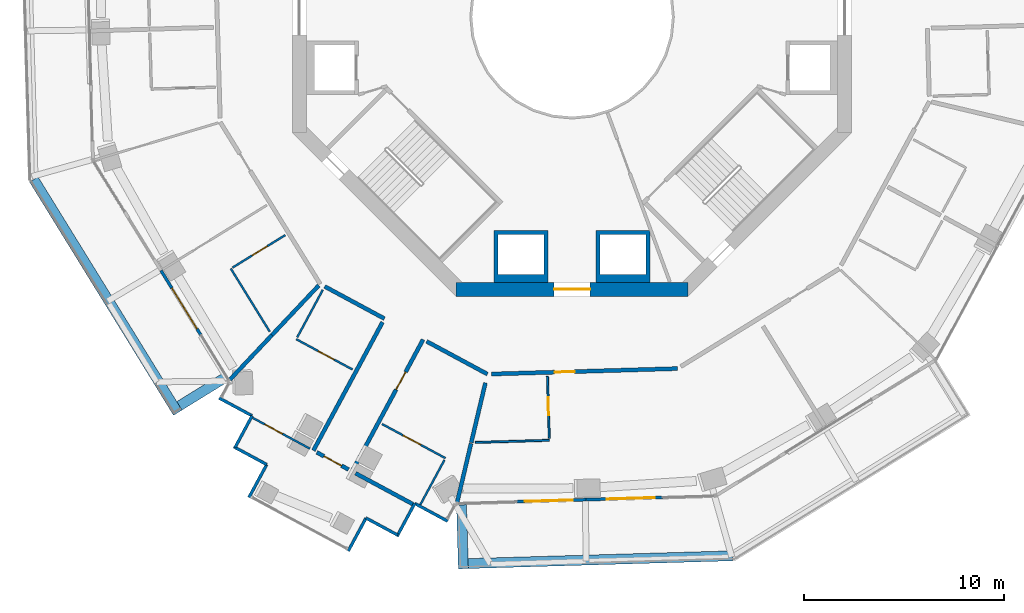
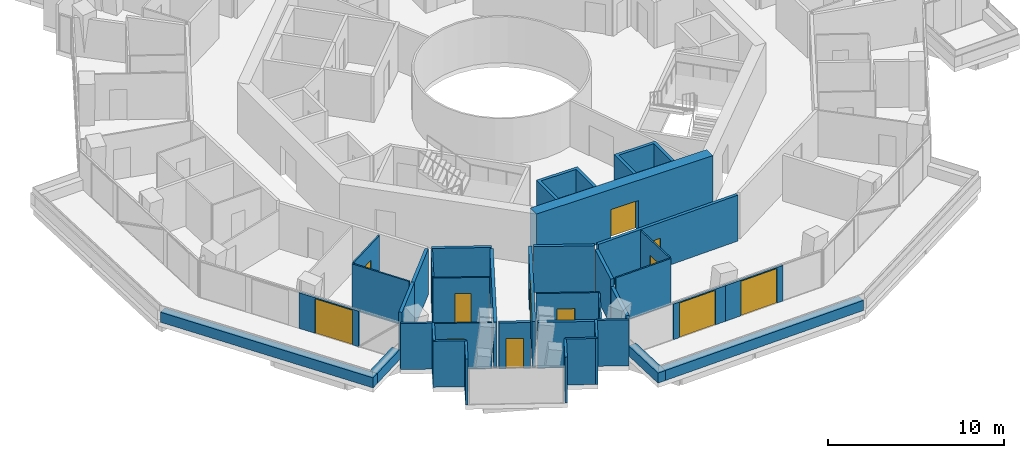
# One storey, part 14 of 22: 38 walls, 12 doors, 12 openings.
"""IFC4 building model written with IfcOpenShell, lengths in metres."""

from ifc_helpers import new_model, si_unit, direction, frame, frame_2d, origin, place, context, subcontext, project, spatial, polyline, rectangle, outline, extrude, material, layer, layer_set, type_object, element, fill, save


model = new_model("IFC4")

# Units and contexts
model_context = context("Model", 3, precision=1e-05, world=origin(), true_north=direction((0.0, 1.0)))
body_context = subcontext(model_context, "Body", "Model", "MODEL_VIEW")
ifc_project = project(units=[si_unit("LENGTHUNIT", "METRE"), si_unit("AREAUNIT", "SQUARE_METRE"), si_unit("VOLUMEUNIT", "CUBIC_METRE"), si_unit("PLANEANGLEUNIT", "RADIAN"), si_unit("MASSUNIT", "GRAM", prefix="KILO")], contexts=[model_context])

# Site, building, storey
site_placement = place(None, origin())
site = spatial("IfcSite", under=ifc_project, at=site_placement, CompositionType="ELEMENT")
building_placement = place(site_placement, origin())
building = spatial("IfcBuilding", under=site, at=building_placement, Name="Verdalira Terraces Hotel", CompositionType="ELEMENT")
storey_placement = place(building_placement, frame((0.0, 0.0, 162.0)))
storey = spatial("IfcBuildingStorey", under=building, at=storey_placement, Name="L39", CompositionType="ELEMENT", Elevation=162.0)

# Walls
ifc_material_1 = material(Name="Concrete C40", Category="concrete")
ifc_layer_1 = layer(ifc_material_1, 0.5)
ifc_layer_set_1 = layer_set([ifc_layer_1], Name="Balcony planter trough with tree")
wall_type_1 = type_object("IfcWallType", Name="Balcony planter trough with tree", PredefinedType="SOLIDWALL", material=ifc_layer_set_1)
wall_1_placement = place(storey_placement, frame((-26.947754, -8.14209, 0.0), z_axis=(0.0, 0.0, 1.0), x_axis=(0.525181892, -0.85099, 0.0)))
element("IfcWall", 1, at=wall_1_placement, inside=storey, type_object=wall_type_1, Name="Balcony planter", PredefinedType="SOLIDWALL", context=body_context, shape_type="SweptSolid", body=[
    extrude(rectangle(XDim=13.723389, YDim=0.5, at=frame_2d((6.861816, 0.0))), origin(), (0.0, 0.0, 1.0), 0.699951),
])
wall_2_placement = place(storey_placement, frame((-19.658936, -19.476562, 0.0), z_axis=(0.0, 0.0, 1.0), x_axis=(0.850968056, 0.525217448, 0.0)))
element("IfcWall", 2, at=wall_2_placement, inside=storey, type_object=wall_type_1, Name="Balcony planter", PredefinedType="SOLIDWALL", context=body_context, shape_type="SweptSolid", body=[
    extrude(rectangle(XDim=2.69873, YDim=0.5, at=frame_2d((1.349365, 0.0))), origin(), (0.0, 0.0, 1.0), 0.699951),
])
wall_3_placement = place(storey_placement, frame((-5.536133, -24.432129, 0.0), z_axis=(0.0, 0.0, 1.0), x_axis=(0.029304862, -0.99957052, 0.0)))
element("IfcWall", 3, at=wall_3_placement, inside=storey, type_object=wall_type_1, Name="Balcony planter", PredefinedType="SOLIDWALL", context=body_context, shape_type="SweptSolid", body=[
    extrude(rectangle(XDim=3.199219, YDim=0.5, at=frame_2d((1.599609, 0.0))), origin(), (0.0, 0.0, 1.0), 0.699951),
])
wall_4_placement = place(storey_placement, frame((-5.199707, -27.372559, 0.0), z_axis=(0.0, 0.0, 1.0), x_axis=(0.999570113, 0.029318754, 0.0)))
element("IfcWall", 4, at=wall_4_placement, inside=storey, type_object=wall_type_1, Name="Balcony planter", PredefinedType="SOLIDWALL", context=body_context, shape_type="SweptSolid", body=[
    extrude(rectangle(XDim=13.223389, YDim=0.5, at=frame_2d((6.611816, 0.0))), origin(), (0.0, 0.0, 1.0), 0.699951),
])
ifc_material_2 = material(Name="Moisture-resistant gypsum board partition")
ifc_layer_2 = layer(ifc_material_2, 0.10009765625)
ifc_layer_set_2 = layer_set([ifc_layer_2], Name="Bathroom partition 100 mm")
wall_type_2 = type_object("IfcWallType", Name="Bathroom partition 100 mm", PredefinedType="PARTITIONING", material=ifc_layer_set_2)
wall_5_placement = place(storey_placement, frame((-17.082275, -12.608154, 0.0), z_axis=(0.0, 0.0, 1.0), x_axis=(0.525185533, -0.850987753, 0.0)))
element("IfcWall", 5, at=wall_5_placement, inside=storey, type_object=wall_type_2, Name="Bathroom partition", PredefinedType="PARTITIONING", context=body_context, shape_type="SweptSolid", body=[
    extrude(rectangle(XDim=3.704102, YDim=0.100098, at=frame_2d((1.852051, 0.0))), origin(), (0.0, 0.0, 1.0), 3.189941),
])

# Wall, opening, door
wall_6_placement = place(storey_placement, frame((-14.358887, -10.92749, 0.0), z_axis=(0.0, 0.0, 1.0), x_axis=(-0.850984343, -0.525191059, 0.0)))
wall_6 = element("IfcWall", 6, at=wall_6_placement, inside=storey, type_object=wall_type_2, Name="Bathroom partition", PredefinedType="PARTITIONING", context=body_context, shape_type="SweptSolid", body=[
    extrude(rectangle(XDim=3.100098, YDim=0.100098, at=frame_2d((1.550049, 0.0))), origin(), (0.0, 0.0, 1.0), 3.189941),
])
opening_1_placement = place(wall_6_placement, frame((1.050049, 0.0, 0.0)))
opening_1 = element("IfcOpeningElement", 7, at=opening_1_placement, cuts=wall_6, Name="Opening L39-115", PredefinedType="OPENING", context=body_context, shape_type="SweptSolid", body=[
    extrude(rectangle(XDim=0.899902, YDim=2.100098, at=frame_2d((0.449951, 1.050049))), frame((0.0, 0.060059, 0.0), z_axis=(0.0, -1.0, 0.0), x_axis=(1.0, 0.0, 0.0)), (0.0, 0.0, 1.0), 0.120117),
])
ifc_material_3 = material(Name="Timber door", Category="wood")
door_type_1 = type_object("IfcDoorType", Name="Bathroom door 900 x 2100", OperationType="NOTDEFINED", PredefinedType="DOOR", material=ifc_material_3)
door_1_placement = place(opening_1_placement, origin())
door_1 = element("IfcDoor", 8, at=door_1_placement, inside=storey, type_object=door_type_1, Name="Bathroom door 3903", OperationType="SINGLE_SWING_RIGHT", OverallHeight=2.10009765625, OverallWidth=0.89990234375, PredefinedType="DOOR", context=body_context, shape_type="SweptSolid", body=[
    extrude(rectangle(XDim=0.899902, YDim=2.100098, at=frame_2d((0.449951, 1.050049))), frame((0.0, 0.024902, 0.0), z_axis=(0.0, -1.0, 0.0), x_axis=(1.0, 0.0, 0.0)), (0.0, 0.0, 1.0), 0.050049),
])
fill(opening_1, door_1)

wall_7_placement = place(storey_placement, frame((-15.989502, -20.075684, 0.0), z_axis=(0.0, 0.0, 1.0), x_axis=(0.880314361, -0.474390794, 0.0)))
wall_7 = element("IfcWall", 9, at=wall_7_placement, inside=storey, type_object=wall_type_2, Name="Bathroom partition", PredefinedType="PARTITIONING", context=body_context, shape_type="SweptSolid", body=[
    extrude(rectangle(XDim=3.251953, YDim=0.100098, at=frame_2d((1.625977, 0.0))), origin(), (0.0, 0.0, 1.0), 3.189941),
])
opening_2_placement = place(wall_7_placement, frame((0.699951, 0.0, 0.0)))
opening_2 = element("IfcOpeningElement", 10, at=opening_2_placement, cuts=wall_7, Name="Opening L39-117", PredefinedType="OPENING", context=body_context, shape_type="SweptSolid", body=[
    extrude(rectangle(XDim=1.0, YDim=2.100098, at=frame_2d((0.5, 1.050049))), frame((0.0, 0.060059, 0.0), z_axis=(0.0, -1.0, 0.0), x_axis=(1.0, 0.0, 0.0)), (0.0, 0.0, 1.0), 0.120117),
])
ifc_material_4 = material(Name="Timber door", Category="wood")
door_type_2 = type_object("IfcDoorType", Name="Suite internal door 1000 x 2100", OperationType="NOTDEFINED", PredefinedType="DOOR", material=ifc_material_4)
door_2_placement = place(opening_2_placement, origin())
door_2 = element("IfcDoor", 11, at=door_2_placement, inside=storey, type_object=door_type_2, Name="Suite internal door 3904", OperationType="SINGLE_SWING_LEFT", OverallHeight=2.10009765625, OverallWidth=1.0, PredefinedType="DOOR", context=body_context, shape_type="SweptSolid", body=[
    extrude(rectangle(XDim=1.0, YDim=2.100098, at=frame_2d((0.5, 1.050049))), frame((0.0, 0.024902, 0.0), z_axis=(0.0, -1.0, 0.0), x_axis=(1.0, 0.0, 0.0)), (0.0, 0.0, 1.0), 0.050049),
])
fill(opening_2, door_2)

# Wall
wall_8_placement = place(storey_placement, frame((-12.480713, -13.674316, 0.0), z_axis=(0.0, 0.0, 1.0), x_axis=(-0.474455674, -0.880279395, 0.0)))
element("IfcWall", 12, at=wall_8_placement, inside=storey, type_object=wall_type_2, Name="Bathroom partition", PredefinedType="PARTITIONING", context=body_context, shape_type="SweptSolid", body=[
    extrude(rectangle(XDim=2.699951, YDim=0.100098, at=frame_2d((1.350098, 0.0))), origin(), (0.0, 0.0, 1.0), 3.189941),
])

# Wall, opening, door
wall_9_placement = place(storey_placement, frame((-13.809082, -16.138916, 0.0), z_axis=(0.0, 0.0, 1.0), x_axis=(0.880304454, -0.474409178, 0.0)))
wall_9 = element("IfcWall", 13, at=wall_9_placement, inside=storey, type_object=wall_type_2, Name="Bathroom partition", PredefinedType="PARTITIONING", context=body_context, shape_type="SweptSolid", body=[
    extrude(rectangle(XDim=3.199951, YDim=0.100098, at=frame_2d((1.600098, 0.0))), origin(), (0.0, 0.0, 1.0), 3.189941),
])
opening_3_placement = place(wall_9_placement, frame((1.25, 0.0, 0.0)))
opening_3 = element("IfcOpeningElement", 14, at=opening_3_placement, cuts=wall_9, Name="Opening L39-118", PredefinedType="OPENING", context=body_context, shape_type="SweptSolid", body=[
    extrude(rectangle(XDim=0.899902, YDim=2.100098, at=frame_2d((0.449951, 1.050049))), frame((0.0, 0.060059, 0.0), z_axis=(0.0, -1.0, 0.0), x_axis=(1.0, 0.0, 0.0)), (0.0, 0.0, 1.0), 0.120117),
])
door_3_placement = place(opening_3_placement, origin())
door_3 = element("IfcDoor", 15, at=door_3_placement, inside=storey, type_object=door_type_1, Name="Bathroom door 3904", OperationType="SINGLE_SWING_LEFT", OverallHeight=2.10009765625, OverallWidth=0.89990234375, PredefinedType="DOOR", context=body_context, shape_type="SweptSolid", body=[
    extrude(rectangle(XDim=0.899902, YDim=2.100098, at=frame_2d((0.449951, 1.050049))), frame((0.0, 0.024902, 0.0), z_axis=(0.0, -1.0, 0.0), x_axis=(1.0, 0.0, 0.0)), (0.0, 0.0, 1.0), 0.050049),
])
fill(opening_3, door_3)

wall_10_placement = place(storey_placement, frame((-6.340576, -22.094971, 0.0), z_axis=(0.0, 0.0, 1.0), x_axis=(-0.88029466, 0.474427351, 0.0)))
wall_10 = element("IfcWall", 16, at=wall_10_placement, inside=storey, type_object=wall_type_2, Name="Bathroom partition", PredefinedType="PARTITIONING", context=body_context, shape_type="SweptSolid", body=[
    extrude(rectangle(XDim=3.600098, YDim=0.100098, at=frame_2d((1.800049, 0.0))), origin(), (0.0, 0.0, 1.0), 3.189941),
])
opening_4_placement = place(wall_10_placement, frame((1.399902, 0.0, 0.0)))
opening_4 = element("IfcOpeningElement", 17, at=opening_4_placement, cuts=wall_10, Name="Opening L39-120", PredefinedType="OPENING", context=body_context, shape_type="SweptSolid", body=[
    extrude(rectangle(XDim=1.0, YDim=2.100098, at=frame_2d((0.5, 1.050049))), frame((0.0, 0.060059, 0.0), z_axis=(0.0, -1.0, 0.0), x_axis=(1.0, 0.0, 0.0)), (0.0, 0.0, 1.0), 0.120117),
])
ifc_material_5 = material(Name="Timber door", Category="wood")
door_type_3 = type_object("IfcDoorType", Name="Bathroom door 1000 x 2100", OperationType="NOTDEFINED", PredefinedType="DOOR", material=ifc_material_5)
door_4_placement = place(opening_4_placement, origin())
door_4 = element("IfcDoor", 18, at=door_4_placement, inside=storey, type_object=door_type_3, Name="Bathroom door 3905", OperationType="SINGLE_SWING_LEFT", OverallHeight=2.10009765625, OverallWidth=1.0, PredefinedType="DOOR", context=body_context, shape_type="SweptSolid", body=[
    extrude(rectangle(XDim=1.0, YDim=2.100098, at=frame_2d((0.5, 1.050049))), frame((0.0, 0.024902, 0.0), z_axis=(0.0, -1.0, 0.0), x_axis=(1.0, 0.0, 0.0)), (0.0, 0.0, 1.0), 0.050049),
])
fill(opening_4, door_4)

# Walls
wall_11_placement = place(storey_placement, frame((-6.387939, -22.182861, 0.0), z_axis=(0.0, 0.0, 1.0), x_axis=(-0.474459446, -0.880277362, 0.0)))
element("IfcWall", 19, at=wall_11_placement, inside=storey, type_object=wall_type_2, Name="Bathroom partition", PredefinedType="PARTITIONING", context=body_context, shape_type="SweptSolid", body=[
    extrude(rectangle(XDim=2.550293, YDim=0.100098, at=frame_2d((1.275146, 0.0))), origin(), (0.0, 0.0, 1.0), 3.189941),
])
wall_12_placement = place(storey_placement, frame((-1.137207, -21.200684, 0.0), z_axis=(0.0, 0.0, 1.0), x_axis=(-0.999569746, -0.029331259, 0.0)))
element("IfcWall", 20, at=wall_12_placement, inside=storey, type_object=wall_type_2, Name="Bathroom partition", PredefinedType="PARTITIONING", context=body_context, shape_type="SweptSolid", body=[
    extrude(rectangle(XDim=3.704102, YDim=0.100098, at=frame_2d((1.852051, 0.0))), origin(), (0.0, 0.0, 1.0), 3.189941),
])

# Wall, opening, door
wall_13_placement = place(storey_placement, frame((-1.140137, -21.10083, 0.0), z_axis=(0.0, 0.0, 1.0), x_axis=(-0.029375908, 0.999568435, 0.0)))
wall_13 = element("IfcWall", 21, at=wall_13_placement, inside=storey, type_object=wall_type_2, Name="Bathroom partition", PredefinedType="PARTITIONING", context=body_context, shape_type="SweptSolid", body=[
    extrude(rectangle(XDim=3.099854, YDim=0.100098, at=frame_2d((1.549805, 0.0))), origin(), (0.0, 0.0, 1.0), 3.189941),
])
opening_5_placement = place(wall_13_placement, frame((1.149902, 0.0, 0.0)))
opening_5 = element("IfcOpeningElement", 22, at=opening_5_placement, cuts=wall_13, Name="Opening L39-122", PredefinedType="OPENING", context=body_context, shape_type="SweptSolid", body=[
    extrude(rectangle(XDim=0.899902, YDim=2.100098, at=frame_2d((0.449951, 1.050049))), frame((0.0, 0.060059, 0.0), z_axis=(0.0, -1.0, 0.0), x_axis=(1.0, 0.0, 0.0)), (0.0, 0.0, 1.0), 0.120117),
])
door_5_placement = place(opening_5_placement, origin())
door_5 = element("IfcDoor", 23, at=door_5_placement, inside=storey, type_object=door_type_1, Name="Bathroom door 3906", OperationType="SINGLE_SWING_LEFT", OverallHeight=2.10009765625, OverallWidth=0.89990234375, PredefinedType="DOOR", context=body_context, shape_type="SweptSolid", body=[
    extrude(rectangle(XDim=0.899902, YDim=2.100098, at=frame_2d((0.449951, 1.050049))), frame((0.0, 0.024902, 0.0), z_axis=(0.0, -1.0, 0.0), x_axis=(1.0, 0.0, 0.0)), (0.0, 0.0, 1.0), 0.050049),
])
fill(opening_5, door_5)

# Walls
ifc_material_6 = material(Name="Concrete C50", Category="concrete")
ifc_layer_3 = layer(ifc_material_6, 0.199951171875)
ifc_layer_set_3 = layer_set([ifc_layer_3], Name="Core RC wall 200 C50")
wall_type_3 = type_object("IfcWallType", Name="Core RC wall 200 C50", PredefinedType="SOLIDWALL", material=ifc_layer_set_3)
wall_14_placement = place(storey_placement, origin())
element("IfcWall", 24, at=wall_14_placement, inside=storey, type_object=wall_type_3, Name="L39 shaft wall S1", PredefinedType="SOLIDWALL", context=body_context, shape_type="SweptSolid", body=[
    extrude(outline(polyline([(-1.199951, -13.300049), (-3.899902, -13.300049), (-3.899902, -10.699951), (-1.199951, -10.699951), (-1.199951, -13.300049)]), holes=[polyline([(-3.699951, -10.899902), (-3.699951, -12.899902), (-1.399902, -12.899902), (-1.399902, -10.899902), (-3.699951, -10.899902)])]), origin(), (0.0, 0.0, 1.0), 3.189941),
])
wall_15_placement = place(storey_placement, origin())
element("IfcWall", 25, at=wall_15_placement, inside=storey, type_object=wall_type_3, Name="L39 shaft wall S2", PredefinedType="SOLIDWALL", context=body_context, shape_type="SweptSolid", body=[
    extrude(outline(polyline([(3.899902, -10.699951), (3.899902, -13.300049), (1.199951, -13.300049), (1.199951, -10.699951), (3.899902, -10.699951)]), holes=[polyline([(1.399902, -12.899902), (3.699951, -12.899902), (3.699951, -10.899902), (1.399902, -10.899902), (1.399902, -12.899902)])]), origin(), (0.0, 0.0, 1.0), 3.189941),
])

# Wall, opening, door
ifc_material_7 = material(Name="Concrete C60", Category="concrete")
ifc_layer_4 = layer(ifc_material_7, 0.699951171875)
ifc_layer_set_4 = layer_set([ifc_layer_4], Name="Core wall 700 C60")
wall_type_4 = type_object("IfcWallType", Name="Core wall 700 C60", PredefinedType="SHEAR", material=ifc_layer_set_4)
wall_16_placement = place(storey_placement, frame((-5.799072, -13.649902, 0.0), z_axis=(0.0, 0.0, 1.0), x_axis=(1.0, 0.0, 0.0)))
wall_16 = element("IfcWall", 26, at=wall_16_placement, inside=storey, type_object=wall_type_4, Name="Core wall CW-L39-7", PredefinedType="SHEAR", context=body_context, shape_type="SweptSolid", body=[
    extrude(rectangle(XDim=11.598145, YDim=0.699951, at=frame_2d((5.799072, 0.0))), origin(), (0.0, 0.0, 1.0), 3.5),
])
opening_6_placement = place(wall_16_placement, frame((4.898926, 0.0, 0.0)))
opening_6 = element("IfcOpeningElement", 27, at=opening_6_placement, cuts=wall_16, Name="Opening L39-815", PredefinedType="OPENING", context=body_context, shape_type="SweptSolid", body=[
    extrude(rectangle(XDim=1.800049, YDim=2.100098, at=frame_2d((0.899902, 1.050049))), frame((0.0, 0.359863, 0.0), z_axis=(0.0, -1.0, 0.0), x_axis=(1.0, 0.0, 0.0)), (0.0, 0.0, 1.0), 0.719971),
])
ifc_material_8 = material(Name="Steel fire door", Category="steel")
door_type_4 = type_object("IfcDoorType", Name="Core entry door pair 1800 x 2100", OperationType="NOTDEFINED", PredefinedType="DOOR", material=ifc_material_8)
door_6_placement = place(opening_6_placement, origin())
door_6 = element("IfcDoor", 28, at=door_6_placement, inside=storey, type_object=door_type_4, Name="Core entry door L39 6", OperationType="DOUBLE_DOOR_SINGLE_SWING", OverallHeight=2.10009765625, OverallWidth=1.800048828125, PredefinedType="DOOR", context=body_context, shape_type="SweptSolid", body=[
    extrude(rectangle(XDim=1.800049, YDim=2.100098, at=frame_2d((0.899902, 1.050049))), frame((0.0, 0.024902, 0.0), z_axis=(0.0, -1.0, 0.0), x_axis=(1.0, 0.0, 0.0)), (0.0, 0.0, 1.0), 0.050049),
])
fill(opening_6, door_6)

# Walls
ifc_material_9 = material(Name="Fire-rated gypsum board wall")
ifc_layer_5 = layer(ifc_material_9, 0.199951171875)
ifc_layer_set_5 = layer_set([ifc_layer_5], Name="Demising wall 200 mm")
wall_type_5 = type_object("IfcWallType", Name="Demising wall 200 mm", PredefinedType="SOLIDWALL", material=ifc_layer_set_5)
wall_17_placement = place(storey_placement, frame((-15.02832, -15.936279, 0.0), z_axis=(0.0, 0.0, 1.0), x_axis=(-0.686053906, -0.727550711, 0.0)))
element("IfcWall", 29, at=wall_17_placement, inside=storey, type_object=wall_type_5, Name="Demising wall", PredefinedType="SOLIDWALL", context=body_context, shape_type="SweptSolid", body=[
    extrude(rectangle(XDim=3.059326, YDim=0.199951, at=frame_2d((1.529785, 0.0))), origin(), (0.0, 0.0, 1.0), 3.189941),
])
wall_18_placement = place(storey_placement, frame((-12.684326, -13.450928, 0.0), z_axis=(0.0, 0.0, 1.0), x_axis=(-0.686115547, -0.727492581, 0.0)))
element("IfcWall", 30, at=wall_18_placement, inside=storey, type_object=wall_type_5, Name="Demising wall", PredefinedType="SOLIDWALL", context=body_context, shape_type="SweptSolid", body=[
    extrude(rectangle(XDim=3.41626, YDim=0.199951, at=frame_2d((1.708008, 0.0))), origin(), (0.0, 0.0, 1.0), 3.189941),
])
wall_19_placement = place(storey_placement, frame((-10.839844, -22.851074, 0.0), z_axis=(0.0, 0.0, 1.0), x_axis=(0.880314361, -0.474390794, 0.0)))
element("IfcWall", 31, at=wall_19_placement, inside=storey, type_object=wall_type_5, Name="Demising wall", PredefinedType="SOLIDWALL", context=body_context, shape_type="SweptSolid", body=[
    extrude(rectangle(XDim=3.251953, YDim=0.199951, at=frame_2d((1.625977, 0.0))), origin(), (0.0, 0.0, 1.0), 3.189941),
])
wall_20_placement = place(storey_placement, frame((-4.338623, -18.325439, 0.0), z_axis=(0.0, 0.0, 1.0), x_axis=(-0.230428791, -0.97308919, 0.0)))
element("IfcWall", 32, at=wall_20_placement, inside=storey, type_object=wall_type_5, Name="Demising wall", PredefinedType="SOLIDWALL", context=body_context, shape_type="SweptSolid", body=[
    extrude(rectangle(XDim=3.074707, YDim=0.199951, at=frame_2d((1.537354, 0.0))), origin(), (0.0, 0.0, 1.0), 3.189941),
])
ifc_material_10 = material(Name="Fire-rated gypsum board wall")
ifc_layer_6 = layer(ifc_material_10, 0.199951171875)
ifc_layer_set_6 = layer_set([ifc_layer_6], Name="Demising wall 200 mm to beam soffit")
wall_type_6 = type_object("IfcWallType", Name="Demising wall 200 mm to beam soffit", PredefinedType="SOLIDWALL", material=ifc_layer_set_6)
wall_21_placement = place(storey_placement, frame((-5.057617, -21.362061, 0.0), z_axis=(0.0, 0.0, 1.0), x_axis=(-0.230403759, -0.973095117, 0.0)))
element("IfcWall", 33, at=wall_21_placement, inside=storey, type_object=wall_type_6, Name="Demising wall", PredefinedType="SOLIDWALL", context=body_context, shape_type="SweptSolid", body=[
    extrude(rectangle(XDim=3.011475, YDim=0.199951, at=frame_2d((1.505859, 0.0))), origin(), (0.0, 0.0, 1.0), 2.689941),
])

# Wall, opening, door
ifc_material_11 = material(Name="Fire-rated gypsum board wall")
ifc_layer_7 = layer(ifc_material_11, 0.199951171875)
ifc_layer_set_7 = layer_set([ifc_layer_7], Name="Guest corridor wall 200 mm")
wall_type_7 = type_object("IfcWallType", Name="Guest corridor wall 200 mm", PredefinedType="SOLIDWALL", material=ifc_layer_set_7)
wall_22_placement = place(storey_placement, frame((-11.188477, -22.663086, 0.0), z_axis=(0.0, 0.0, 1.0), x_axis=(-0.8803407, 0.474341914, 0.0)))
wall_22 = element("IfcWall", 34, at=wall_22_placement, inside=storey, type_object=wall_type_7, Name="Guest corridor wall", PredefinedType="SOLIDWALL", context=body_context, shape_type="SweptSolid", body=[
    extrude(rectangle(XDim=1.803955, YDim=0.199951, at=frame_2d((0.901855, 0.0))), origin(), (0.0, 0.0, 1.0), 3.189941),
])
opening_7_placement = place(wall_22_placement, frame((0.399902, 0.0, 0.0)))
opening_7 = element("IfcOpeningElement", 35, at=opening_7_placement, cuts=wall_22, Name="Opening L39-116", PredefinedType="OPENING", context=body_context, shape_type="SweptSolid", body=[
    extrude(rectangle(XDim=1.0, YDim=2.100098, at=frame_2d((0.5, 1.050049))), frame((0.0, 0.109863, 0.0), z_axis=(0.0, -1.0, 0.0), x_axis=(1.0, 0.0, 0.0)), (0.0, 0.0, 1.0), 0.219971),
])
ifc_material_12 = material(Name="Timber fire door", Category="wood")
door_type_5 = type_object("IfcDoorType", Name="Guest entry door 1000 x 2100", OperationType="NOTDEFINED", PredefinedType="DOOR", material=ifc_material_12)
door_7_placement = place(opening_7_placement, origin())
door_7 = element("IfcDoor", 36, at=door_7_placement, inside=storey, type_object=door_type_5, Name="Guest entry door 3904", OperationType="SINGLE_SWING_LEFT", OverallHeight=2.10009765625, OverallWidth=1.0, PredefinedType="DOOR", context=body_context, shape_type="SweptSolid", body=[
    extrude(rectangle(XDim=1.0, YDim=2.100098, at=frame_2d((0.5, 1.050049))), frame((0.0, 0.024902, 0.0), z_axis=(0.0, -1.0, 0.0), x_axis=(1.0, 0.0, 0.0)), (0.0, 0.0, 1.0), 0.050049),
])
fill(opening_7, door_7)

# Walls
wall_23_placement = place(storey_placement, frame((-9.487793, -15.287109, 0.0), z_axis=(0.0, 0.0, 1.0), x_axis=(-0.474375026, -0.880322858, 0.0)))
element("IfcWall", 37, at=wall_23_placement, inside=storey, type_object=wall_type_7, Name="Guest corridor wall", PredefinedType="SOLIDWALL", context=body_context, shape_type="SweptSolid", body=[
    extrude(rectangle(XDim=7.299805, YDim=0.199951, at=frame_2d((3.649902, 0.0))), origin(), (0.0, 0.0, 1.0), 3.189941),
])
wall_24_placement = place(storey_placement, frame((-12.385986, -13.498047, 0.0), z_axis=(0.0, 0.0, 1.0), x_axis=(0.880307349, -0.474403806, 0.0)))
element("IfcWall", 38, at=wall_24_placement, inside=storey, type_object=wall_type_7, Name="Guest corridor wall", PredefinedType="SOLIDWALL", context=body_context, shape_type="SweptSolid", body=[
    extrude(rectangle(XDim=3.400146, YDim=0.199951, at=frame_2d((1.700195, 0.0))), origin(), (0.0, 0.0, 1.0), 3.189941),
])

# Wall, opening, door
wall_25_placement = place(storey_placement, frame((-7.456055, -16.154785, 0.0), z_axis=(0.0, 0.0, 1.0), x_axis=(-0.474412322, -0.88030276, 0.0)))
wall_25 = element("IfcWall", 39, at=wall_25_placement, inside=storey, type_object=wall_type_7, Name="Guest corridor wall", PredefinedType="SOLIDWALL", context=body_context, shape_type="SweptSolid", body=[
    extrude(rectangle(XDim=7.5, YDim=0.199951, at=frame_2d((3.75, 0.0))), origin(), (0.0, 0.0, 1.0), 3.189941),
])
opening_8_placement = place(wall_25_placement, frame((1.850098, 0.0, 0.0)))
opening_8 = element("IfcOpeningElement", 40, at=opening_8_placement, cuts=wall_25, Name="Opening L39-119", PredefinedType="OPENING", context=body_context, shape_type="SweptSolid", body=[
    extrude(rectangle(XDim=1.0, YDim=2.100098, at=frame_2d((0.5, 1.050049))), frame((0.0, 0.109863, 0.0), z_axis=(0.0, -1.0, 0.0), x_axis=(1.0, 0.0, 0.0)), (0.0, 0.0, 1.0), 0.219971),
])
door_8_placement = place(opening_8_placement, origin())
door_8 = element("IfcDoor", 41, at=door_8_placement, inside=storey, type_object=door_type_5, Name="Guest entry door 3905", OperationType="SINGLE_SWING_LEFT", OverallHeight=2.10009765625, OverallWidth=1.0, PredefinedType="DOOR", context=body_context, shape_type="SweptSolid", body=[
    extrude(rectangle(XDim=1.0, YDim=2.100098, at=frame_2d((0.5, 1.050049))), frame((0.0, 0.024902, 0.0), z_axis=(0.0, -1.0, 0.0), x_axis=(1.0, 0.0, 0.0)), (0.0, 0.0, 1.0), 0.050049),
])
fill(opening_8, door_8)

# Wall
wall_26_placement = place(storey_placement, frame((-7.280029, -16.249512, 0.0), z_axis=(0.0, 0.0, 1.0), x_axis=(0.880312375, -0.47439448, 0.0)))
element("IfcWall", 42, at=wall_26_placement, inside=storey, type_object=wall_type_7, Name="Guest corridor wall", PredefinedType="SOLIDWALL", context=body_context, shape_type="SweptSolid", body=[
    extrude(rectangle(XDim=3.458252, YDim=0.199951, at=frame_2d((1.729004, 0.0))), origin(), (0.0, 0.0, 1.0), 3.189941),
])

# Wall, opening, door
wall_27_placement = place(storey_placement, frame((5.276367, -17.611084, 0.0), z_axis=(0.0, 0.0, 1.0), x_axis=(-0.999569926, -0.029325121, 0.0)))
wall_27 = element("IfcWall", 43, at=wall_27_placement, inside=storey, type_object=wall_type_7, Name="Guest corridor wall", PredefinedType="SOLIDWALL", context=body_context, shape_type="SweptSolid", body=[
    extrude(rectangle(XDim=9.315918, YDim=0.199951, at=frame_2d((4.657959, 0.0))), origin(), (0.0, 0.0, 1.0), 3.189941),
])
opening_9_placement = place(wall_27_placement, frame((5.149902, 0.0, 0.0)))
opening_9 = element("IfcOpeningElement", 44, at=opening_9_placement, cuts=wall_27, Name="Opening L39-121", PredefinedType="OPENING", context=body_context, shape_type="SweptSolid", body=[
    extrude(rectangle(XDim=1.0, YDim=2.100098, at=frame_2d((0.5, 1.050049))), frame((0.0, 0.109863, 0.0), z_axis=(0.0, -1.0, 0.0), x_axis=(1.0, 0.0, 0.0)), (0.0, 0.0, 1.0), 0.219971),
])
door_9_placement = place(opening_9_placement, origin())
door_9 = element("IfcDoor", 45, at=door_9_placement, inside=storey, type_object=door_type_5, Name="Guest entry door 3906", OperationType="SINGLE_SWING_LEFT", OverallHeight=2.10009765625, OverallWidth=1.0, PredefinedType="DOOR", context=body_context, shape_type="SweptSolid", body=[
    extrude(rectangle(XDim=1.0, YDim=2.100098, at=frame_2d((0.5, 1.050049))), frame((0.0, 0.024902, 0.0), z_axis=(0.0, -1.0, 0.0), x_axis=(1.0, 0.0, 0.0)), (0.0, 0.0, 1.0), 0.050049),
])
fill(opening_9, door_9)

# Walls
ifc_material_13 = material(Name="Terracotta cladding", Category="masonry")
ifc_layer_8 = layer(ifc_material_13, 0.14990234375)
ifc_layer_set_8 = layer_set([ifc_layer_8], Name="Terracotta clad wall 150")
wall_type_8 = type_object("IfcWallType", Name="Terracotta clad wall 150", PredefinedType="SOLIDWALL", material=ifc_layer_set_8)
wall_28_placement = place(storey_placement, frame((-17.668945, -19.085693, 0.0), z_axis=(0.0, 0.0, 1.0), x_axis=(0.880337273, -0.474348275, 0.0)))
element("IfcWall", 46, at=wall_28_placement, inside=storey, type_object=wall_type_8, Name="Terracotta cladding wall", PredefinedType="SOLIDWALL", context=body_context, shape_type="SweptSolid", body=[
    extrude(rectangle(XDim=1.875, YDim=0.149902, at=frame_2d((0.9375, 0.0))), origin(), (0.0, 0.0, 1.0), 3.189941),
])
wall_29_placement = place(storey_placement, frame((-16.018311, -19.975098, 0.0), z_axis=(0.0, 0.0, 1.0), x_axis=(-0.474455674, -0.880279395, 0.0)))
element("IfcWall", 47, at=wall_29_placement, inside=storey, type_object=wall_type_8, Name="Terracotta cladding wall", PredefinedType="SOLIDWALL", context=body_context, shape_type="SweptSolid", body=[
    extrude(rectangle(XDim=1.800049, YDim=0.149902, at=frame_2d((0.899902, 0.0))), origin(), (0.0, 0.0, 1.0), 3.189941),
])
for number, where, z_axis, x_axis, name in (
    (48, (-16.938232, -21.52417, 0.0), (0.0, 0.0, 1.0), (0.880337273, -0.474348275, 0.0), "Terracotta cladding wall"),
    (49, (-15.287598, -22.413574, 0.0), (0.0, 0.0, 1.0), (-0.474449176, -0.880282897, 0.0), "Terracotta cladding wall"),
):
    element("IfcWall", number, at=place(storey_placement, frame(where, z_axis=z_axis, x_axis=x_axis)), inside=storey, type_object=wall_type_8, Name=name, PredefinedType="SOLIDWALL", context=body_context, shape_type="SweptSolid", body=[
        extrude(rectangle(XDim=1.875, YDim=0.149902, at=frame_2d((0.9375, 0.0))), origin(), (0.0, 0.0, 1.0), 3.189941),
    ])
wall_30_placement = place(storey_placement, frame((-11.203369, -26.744385, 0.0), z_axis=(0.0, 0.0, 1.0), x_axis=(0.474402653, 0.88030797, 0.0)))
element("IfcWall", 50, at=wall_30_placement, inside=storey, type_object=wall_type_8, Name="Terracotta cladding wall", PredefinedType="SOLIDWALL", context=body_context, shape_type="SweptSolid", body=[
    extrude(rectangle(XDim=1.874756, YDim=0.149902, at=frame_2d((0.9375, 0.0))), origin(), (0.0, 0.0, 1.0), 3.189941),
])
wall_31_placement = place(storey_placement, frame((-10.313965, -25.093994, 0.0), z_axis=(0.0, 0.0, 1.0), x_axis=(0.880366557, -0.474293922, 0.0)))
element("IfcWall", 51, at=wall_31_placement, inside=storey, type_object=wall_type_8, Name="Terracotta cladding wall", PredefinedType="SOLIDWALL", context=body_context, shape_type="SweptSolid", body=[
    extrude(rectangle(XDim=1.800049, YDim=0.149902, at=frame_2d((0.899902, 0.0))), origin(), (0.0, 0.0, 1.0), 3.189941),
])
for number, where, z_axis, x_axis, name in (
    (52, (-8.764893, -26.013916, 0.0), (0.0, 0.0, 1.0), (0.474348275, 0.880337273, 0.0), "Terracotta cladding wall"),
    (53, (-7.875488, -24.363281, 0.0), (0.0, 0.0, 1.0), (0.880337273, -0.474348275, 0.0), "Terracotta cladding wall"),
):
    element("IfcWall", number, at=place(storey_placement, frame(where, z_axis=z_axis, x_axis=x_axis)), inside=storey, type_object=wall_type_8, Name=name, PredefinedType="SOLIDWALL", context=body_context, shape_type="SweptSolid", body=[
        extrude(rectangle(XDim=1.875, YDim=0.149902, at=frame_2d((0.9375, 0.0))), origin(), (0.0, 0.0, 1.0), 3.189941),
    ])

# Wall, opening, door
ifc_material_14 = material(Name="Terracotta cladding", Category="masonry")
ifc_layer_9 = layer(ifc_material_14, 0.14990234375)
ifc_layer_set_9 = layer_set([ifc_layer_9], Name="Terracotta door pier 150")
wall_type_9 = type_object("IfcWallType", Name="Terracotta door pier 150", PredefinedType="SOLIDWALL", material=ifc_layer_set_9)
wall_32_placement = place(storey_placement, frame((-20.579834, -12.700439, 0.0), z_axis=(0.0, 0.0, 1.0), x_axis=(0.525155391, -0.851006354, 0.0)))
wall_32 = element("IfcWall", 54, at=wall_32_placement, inside=storey, type_object=wall_type_9, Name="Terracotta door pier", PredefinedType="SOLIDWALL", context=body_context, shape_type="SweptSolid", body=[
    extrude(rectangle(XDim=3.835449, YDim=0.149902, at=frame_2d((1.917725, 0.0))), origin(), (0.0, 0.0, 1.0), 2.475098),
])
opening_10_placement = place(wall_32_placement, frame((1.0354, 0.0, 0.0)))
opening_10 = element("IfcOpeningElement", 55, at=opening_10_placement, cuts=wall_32, Name="Opening L39-B05", PredefinedType="OPENING", context=body_context, shape_type="SweptSolid", body=[
    extrude(rectangle(XDim=2.399902, YDim=2.399902, at=frame_2d((1.199951, 1.199951))), frame((0.0, 0.084961, 0.0), z_axis=(0.0, -1.0, 0.0), x_axis=(1.0, 0.0, 0.0)), (0.0, 0.0, 1.0), 0.169922),
])
ifc_material_15 = material(Name="Clear glass", Category="glass")
door_type_6 = type_object("IfcDoorType", Name="Balcony sliding door 2400x2400", OperationType="NOTDEFINED", PredefinedType="DOOR", material=ifc_material_15)
door_10_placement = place(opening_10_placement, origin())
door_10 = element("IfcDoor", 56, at=door_10_placement, inside=storey, type_object=door_type_6, Name="Balcony sliding door", OperationType="SLIDING_TO_LEFT", OverallHeight=2.39990234375, OverallWidth=2.39990234375, PredefinedType="DOOR", context=body_context, shape_type="SweptSolid", body=[
    extrude(rectangle(XDim=2.399902, YDim=2.399902, at=frame_2d((1.199951, 1.199951))), frame((0.0, 0.024902, 0.0), z_axis=(0.0, -1.0, 0.0), x_axis=(1.0, 0.0, 0.0)), (0.0, 0.0, 1.0), 0.050049),
])
fill(opening_10, door_10)

wall_33_placement = place(storey_placement, frame((-2.764404, -24.274902, 0.0), z_axis=(0.0, 0.0, 1.0), x_axis=(0.999568665, 0.029368082, 0.0)))
wall_33 = element("IfcWall", 57, at=wall_33_placement, inside=storey, type_object=wall_type_9, Name="Terracotta door pier", PredefinedType="SOLIDWALL", context=body_context, shape_type="SweptSolid", body=[
    extrude(rectangle(XDim=3.474854, YDim=0.149902, at=frame_2d((1.737305, 0.0))), origin(), (0.0, 0.0, 1.0), 2.475098),
])
opening_11_placement = place(wall_33_placement, frame((0.399902, 0.0, 0.0)))
opening_11 = element("IfcOpeningElement", 58, at=opening_11_placement, cuts=wall_33, Name="Opening L39-B06", PredefinedType="OPENING", context=body_context, shape_type="SweptSolid", body=[
    extrude(rectangle(XDim=2.399902, YDim=2.399902, at=frame_2d((1.199951, 1.199951))), frame((0.0, 0.084961, 0.0), z_axis=(0.0, -1.0, 0.0), x_axis=(1.0, 0.0, 0.0)), (0.0, 0.0, 1.0), 0.169922),
])
door_11_placement = place(opening_11_placement, origin())
door_11 = element("IfcDoor", 59, at=door_11_placement, inside=storey, type_object=door_type_6, Name="Balcony sliding door", OperationType="SLIDING_TO_RIGHT", OverallHeight=2.39990234375, OverallWidth=2.39990234375, PredefinedType="DOOR", context=body_context, shape_type="SweptSolid", body=[
    extrude(rectangle(XDim=2.399902, YDim=2.399902, at=frame_2d((1.199951, 1.199951))), frame((0.0, 0.024902, 0.0), z_axis=(0.0, -1.0, 0.0), x_axis=(1.0, 0.0, 0.0)), (0.0, 0.0, 1.0), 0.050049),
])
fill(opening_11, door_11)

wall_34_placement = place(storey_placement, frame((0.708984, -24.172852, 0.0), z_axis=(0.0, 0.0, 1.0), x_axis=(0.999571268, 0.029279342, 0.0)))
wall_34 = element("IfcWall", 60, at=wall_34_placement, inside=storey, type_object=wall_type_9, Name="Terracotta door pier", PredefinedType="SOLIDWALL", context=body_context, shape_type="SweptSolid", body=[
    extrude(rectangle(XDim=3.835693, YDim=0.149902, at=frame_2d((1.917969, 0.0))), origin(), (0.0, 0.0, 1.0), 2.475098),
])
opening_12_placement = place(wall_34_placement, frame((1.0354, 0.0, 0.0)))
opening_12 = element("IfcOpeningElement", 61, at=opening_12_placement, cuts=wall_34, Name="Opening L39-B07", PredefinedType="OPENING", context=body_context, shape_type="SweptSolid", body=[
    extrude(rectangle(XDim=2.399902, YDim=2.399902, at=frame_2d((1.199951, 1.199951))), frame((0.0, 0.084961, 0.0), z_axis=(0.0, -1.0, 0.0), x_axis=(1.0, 0.0, 0.0)), (0.0, 0.0, 1.0), 0.169922),
])
door_12_placement = place(opening_12_placement, origin())
door_12 = element("IfcDoor", 62, at=door_12_placement, inside=storey, type_object=door_type_6, Name="Balcony sliding door", OperationType="SLIDING_TO_LEFT", OverallHeight=2.39990234375, OverallWidth=2.39990234375, PredefinedType="DOOR", context=body_context, shape_type="SweptSolid", body=[
    extrude(rectangle(XDim=2.399902, YDim=2.399902, at=frame_2d((1.199951, 1.199951))), frame((0.0, 0.024902, 0.0), z_axis=(0.0, -1.0, 0.0), x_axis=(1.0, 0.0, 0.0)), (0.0, 0.0, 1.0), 0.050049),
])
fill(opening_12, door_12)

save(model, "model.ifc")
